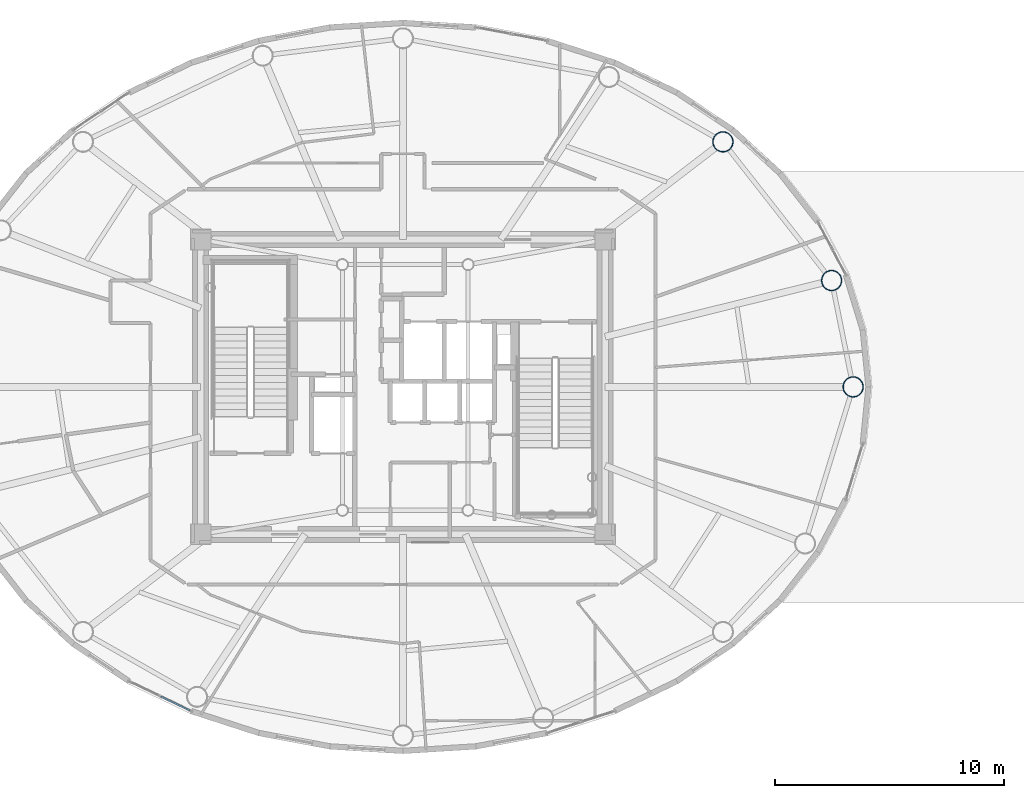
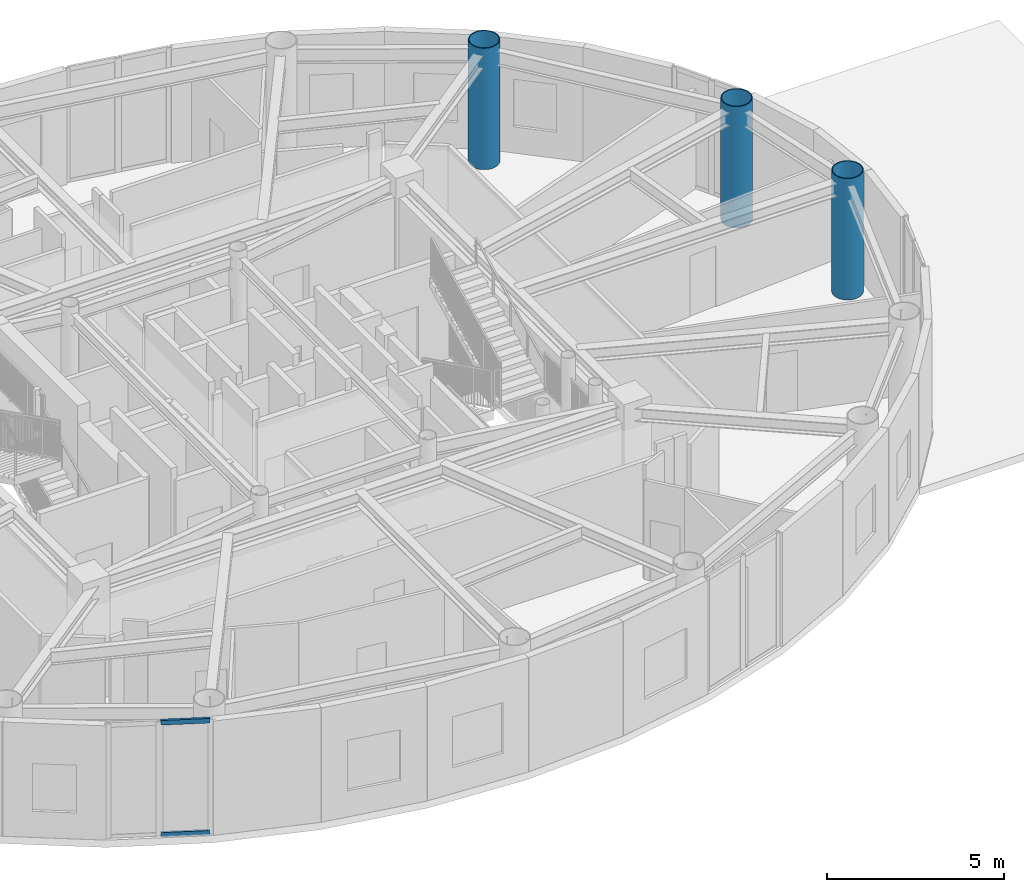
# One storey, part 2 of 24: 3 columns, 2 members, 1 element without a shape of its own.
"""IFC4 building model written with IfcOpenShell, lengths in metres."""

from ifc_helpers import new_model, si_unit, direction, frame, origin, origin_2d, place, context, subcontext, project, spatial, hollow_rectangle, hollow_circle, extrude, source, transform, mapped, material, layer, layer_set, material_profile, profile_set, type_object, element, aggregate, save


model = new_model("IFC4")

# Units and contexts
model_context = context("Model", 3, precision=1e-05, world=origin(), true_north=direction((0.0, 1.0)))
body_context = subcontext(model_context, "Body", "Model", "MODEL_VIEW")
ifc_project = project(units=[si_unit("LENGTHUNIT", "METRE"), si_unit("AREAUNIT", "SQUARE_METRE"), si_unit("VOLUMEUNIT", "CUBIC_METRE"), si_unit("PLANEANGLEUNIT", "RADIAN"), si_unit("MASSUNIT", "GRAM", prefix="KILO")], contexts=[model_context])

# Site, building, storey
site_placement = place(None, origin())
site = spatial("IfcSite", under=ifc_project, at=site_placement, CompositionType="ELEMENT")
building_placement = place(site_placement, origin())
building = spatial("IfcBuilding", under=site, at=building_placement, Name="Linh Dai School and Residence Tower", CompositionType="ELEMENT")
storey_placement = place(building_placement, frame((0.0, 0.0, 355.199951171875)))
storey = spatial("IfcBuildingStorey", under=building, at=storey_placement, Name="L88", CompositionType="ELEMENT", Elevation=355.199951171875)

# Columns
ifc_material_1 = material(Name="Structural Steel S355JR", Category="steel")
ifc_material_profile_1 = material_profile(ifc_material_1, hollow_circle(Radius=0.449951171875, WallThickness=0.028076171875, at=origin_2d()), Name="CHS 900x28")
ifc_profile_set_1 = profile_set([ifc_material_profile_1], Name="Structural Steel S355JR")
column_type = type_object("IfcColumnType", Name="COL-MC7", PredefinedType="COLUMN", material=ifc_profile_set_1)
for number, where, z_axis, x_axis, name in (
    (1, (55.699951171875, 27.0, 0.0), (0.0, 0.0, 1.0), (1.0, 0.0, 0.0), "L88 Perimeter CFT Mega-Column MC01"),
    (2, (54.7578125, 31.65478515625, 0.0), (0.0, 0.0, 1.0), (1.0, 0.0, 0.0), "L88 Perimeter CFT Mega-Column MC02"),
    (3, (50.00244140625, 37.72265625, 0.0), (0.0, 0.0, 1.0), (1.0, 0.0, 0.0), "L88 Perimeter CFT Mega-Column MC03"),
):
    element("IfcColumn", number, at=place(storey_placement, frame(where, z_axis=z_axis, x_axis=x_axis)), inside=storey, type_object=column_type, Name=name, PredefinedType="COLUMN", context=body_context, shape_type="SweptSolid", body=[
        extrude(hollow_circle(Radius=0.449951171875, WallThickness=0.028076171875, at=origin_2d()), origin(), (0.0, 0.0, 1.0), 4.199951171875),
    ])

# Curtain wall, members
ifc_material_2 = material(Name="Aluminium Anodised Curtain Wall", Category="aluminium")
ifc_layer = layer(ifc_material_2, 0.199951171875)
ifc_layer_set = layer_set([ifc_layer], Name="Aluminium Anodised Curtain Wall")
curtain_wall_type = type_object("IfcCurtainWallType", Name="CW-SYS-6", PredefinedType="USERDEFINED", material=ifc_layer_set)
curtain_wall_placement = place(storey_placement, origin())
curtain_wall = element("IfcCurtainWall", 4, at=curtain_wall_placement, inside=storey, type_object=curtain_wall_type, Name="L88 CW6 Curtain Wall 27", ObjectType="UNITISED CURTAIN WALL", PredefinedType="USERDEFINED")
ifc_material_3 = material(Name="Aluminium Alloy 6063-T6", Category="aluminium")
ifc_material_profile_2 = material_profile(ifc_material_3, hollow_rectangle(XDim=0.074951171875, YDim=0.159912109375, WallThickness=0.00390625, at=origin_2d()), Name="RHS 160x75x4")
ifc_profile_set_2 = profile_set([ifc_material_profile_2], Name="Aluminium Alloy 6063-T6")
member_type = type_object("IfcMemberType", Name="CW-SYS-6-TRN", PredefinedType="USERDEFINED", material=ifc_profile_set_2)
shared_shape = source(origin(), body_context, "Body", "SweptSolid", [
    extrude(hollow_rectangle(XDim=0.074951171875, YDim=0.159912109375, WallThickness=0.00390625, at=origin_2d()), origin(), (0.0, 0.0, 1.0), 1.39990234375),
])
member_1_placement = place(storey_placement, frame((26.671875, 12.843505859375, 0.03759765625), z_axis=(-0.901563871495, 0.432646028081, 0.0), x_axis=(-0.432646028081, -0.901563871495, 0.0)))
member_1 = element("IfcMember", 5, at=member_1_placement, type_object=member_type, Name="CW6 transom 1.1", ObjectType="TRANSOM", PredefinedType="USERDEFINED", context=body_context, shape_type="MappedRepresentation", body=[
    mapped(shared_shape, transform((0.0, 0.0, 0.0), x_axis=(1.0, 0.0, 0.0), y_axis=(0.0, 1.0, 0.0), z_axis=(0.0, 0.0, 1.0), scale=1.0)),
])
member_2_placement = place(storey_placement, frame((26.671875, 12.843505859375, 3.91259765625), z_axis=(-0.901563871495, 0.432646028081, 0.0), x_axis=(-0.432646028081, -0.901563871495, 0.0)))
member_2 = element("IfcMember", 6, at=member_2_placement, type_object=member_type, Name="CW6 transom 1.2", ObjectType="TRANSOM", PredefinedType="USERDEFINED", context=body_context, shape_type="MappedRepresentation", body=[
    mapped(shared_shape, transform((0.0, 0.0, 0.0), x_axis=(1.0, 0.0, 0.0), y_axis=(0.0, 1.0, 0.0), z_axis=(0.0, 0.0, 1.0), scale=1.0)),
])
aggregate(curtain_wall, [member_1, member_2])

save(model, "model.ifc")
